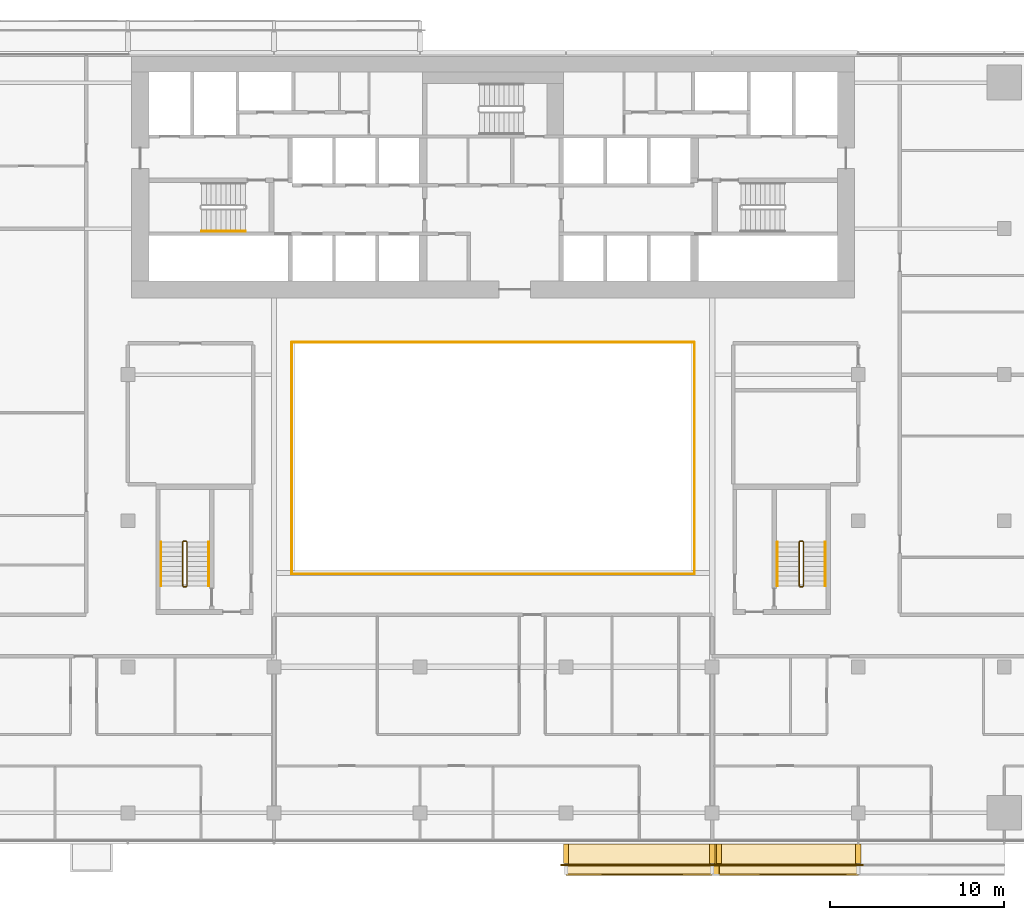
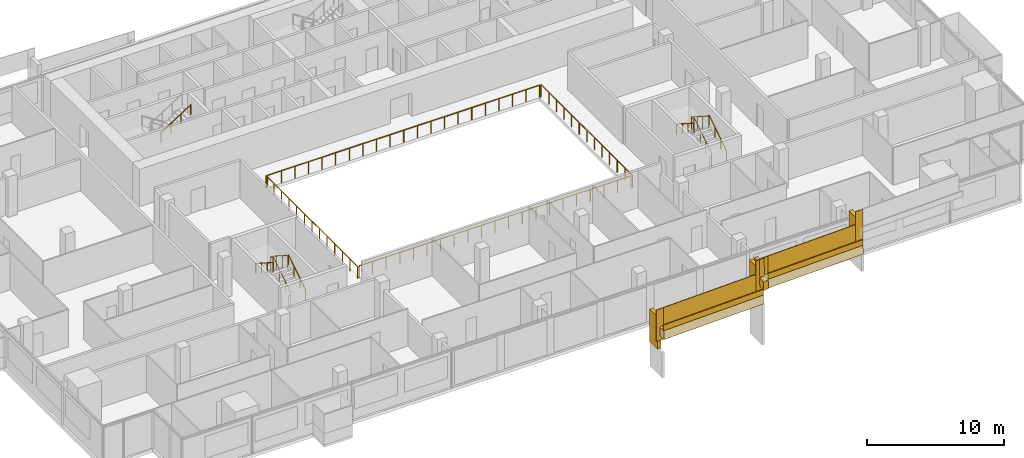
# One storey, part 25 of 27: 18 railings, 9 coverings.
"""IFC4 building model written with IfcOpenShell, lengths in metres."""

from ifc_helpers import new_model, si_unit, direction, frame, origin, origin_2d, place, context, subcontext, project, spatial, polyline, rectangle, circle, outline, extrude, material, layer, layer_set, type_object, element, save


model = new_model("IFC4")

# Units and contexts
model_context = context("Model", 3, precision=1e-05, world=origin(), true_north=direction((0.0, 1.0)))
body_context = subcontext(model_context, "Body", "Model", "MODEL_VIEW")
ifc_project = project(units=[si_unit("LENGTHUNIT", "METRE"), si_unit("AREAUNIT", "SQUARE_METRE"), si_unit("VOLUMEUNIT", "CUBIC_METRE"), si_unit("PLANEANGLEUNIT", "RADIAN"), si_unit("MASSUNIT", "GRAM", prefix="KILO")], contexts=[model_context])

# Site, building, storey
site_placement = place(None, origin())
site = spatial("IfcSite", under=ifc_project, at=site_placement, CompositionType="ELEMENT")
building_placement = place(site_placement, origin())
building = spatial("IfcBuilding", under=site, at=building_placement, Name="Saffron Gate Tower", CompositionType="ELEMENT")
storey_placement = place(building_placement, frame((0.0, 0.0, 124.050048828125)))
storey = spatial("IfcBuildingStorey", under=building, at=storey_placement, Name="L29", CompositionType="ELEMENT", Elevation=124.050048828125)

# Railings
ifc_material_1 = material(Name="Stainless steel and laminated glass", Category="steel")
railing_type_1 = type_object("IfcRailingType", Name="AG1 Atrium edge guard 1100", PredefinedType="GUARDRAIL", material=ifc_material_1)
railing_1_placement = place(storey_placement, frame((76.02001953125, 45.5400390625, 0.0)))
element("IfcRailing", 1, at=railing_1_placement, inside=storey, type_object=railing_type_1, Name="Guard B3-1", PredefinedType="GUARDRAIL", context=body_context, shape_type="SweptSolid", body=[
    extrude(circle(Radius=0.02392578125, at=origin_2d()), frame((0.0, 0.0, 1.076171875), z_axis=(0.0, 1.0, 0.0), x_axis=(-1.0, 0.0, 0.0)), (0.0, 0.0, 1.0), 13.320068359375),
    extrude(circle(Radius=0.02099609375, at=origin_2d()), origin(), (0.0, 0.0, 1.0), 1.052001953125),
    extrude(circle(Radius=0.02099609375, at=origin_2d()), frame((0.0, 1.110107421875, 0.0)), (0.0, 0.0, 1.0), 1.052001953125),
    extrude(circle(Radius=0.02099609375, at=origin_2d()), frame((0.0, 2.219970703125, 0.0)), (0.0, 0.0, 1.0), 1.052001953125),
    extrude(circle(Radius=0.02099609375, at=origin_2d()), frame((0.0, 3.330078125, 0.0)), (0.0, 0.0, 1.0), 1.052001953125),
    extrude(circle(Radius=0.02099609375, at=origin_2d()), frame((0.0, 4.43994140625, 0.0)), (0.0, 0.0, 1.0), 1.052001953125),
    extrude(circle(Radius=0.02099609375, at=origin_2d()), frame((0.0, 5.550048828125, 0.0)), (0.0, 0.0, 1.0), 1.052001953125),
    extrude(circle(Radius=0.02099609375, at=origin_2d()), frame((0.0, 6.66015625, 0.0)), (0.0, 0.0, 1.0), 1.052001953125),
    extrude(circle(Radius=0.02099609375, at=origin_2d()), frame((0.0, 7.77001953125, 0.0)), (0.0, 0.0, 1.0), 1.052001953125),
    extrude(circle(Radius=0.02099609375, at=origin_2d()), frame((0.0, 8.880126953125, 0.0)), (0.0, 0.0, 1.0), 1.052001953125),
    extrude(circle(Radius=0.02099609375, at=origin_2d()), frame((0.0, 9.989990234375, 0.0)), (0.0, 0.0, 1.0), 1.052001953125),
    extrude(circle(Radius=0.02099609375, at=origin_2d()), frame((0.0, 11.10009765625, 0.0)), (0.0, 0.0, 1.0), 1.052001953125),
    extrude(circle(Radius=0.02099609375, at=origin_2d()), frame((0.0, 12.2099609375, 0.0)), (0.0, 0.0, 1.0), 1.052001953125),
    extrude(circle(Radius=0.02099609375, at=origin_2d()), frame((0.0, 13.320068359375, 0.0)), (0.0, 0.0, 1.0), 1.052001953125),
])
railing_2_placement = place(storey_placement, frame((76.139892578125, 58.860107421875, 0.0)))
element("IfcRailing", 2, at=railing_2_placement, inside=storey, type_object=railing_type_1, Name="Guard B3-2", PredefinedType="GUARDRAIL", context=body_context, shape_type="SweptSolid", body=[
    extrude(circle(Radius=0.02392578125, at=origin_2d()), frame((0.0, 0.0, 1.076171875), z_axis=(1.0, 0.0, 0.0), x_axis=(0.0, 1.0, 0.0)), (0.0, 0.0, 1.0), 22.920166015625),
    extrude(circle(Radius=0.02099609375, at=origin_2d()), origin(), (0.0, 0.0, 1.0), 1.052001953125),
    extrude(circle(Radius=0.02099609375, at=origin_2d()), frame((1.14599609375, 0.0, 0.0)), (0.0, 0.0, 1.0), 1.052001953125),
    extrude(circle(Radius=0.02099609375, at=origin_2d()), frame((2.2919921875, 0.0, 0.0)), (0.0, 0.0, 1.0), 1.052001953125),
    extrude(circle(Radius=0.02099609375, at=origin_2d()), frame((3.43798828125, 0.0, 0.0)), (0.0, 0.0, 1.0), 1.052001953125),
    extrude(circle(Radius=0.02099609375, at=origin_2d()), frame((4.583984375, 0.0, 0.0)), (0.0, 0.0, 1.0), 1.052001953125),
    extrude(circle(Radius=0.02099609375, at=origin_2d()), frame((5.72998046875, 0.0, 0.0)), (0.0, 0.0, 1.0), 1.052001953125),
    extrude(circle(Radius=0.02099609375, at=origin_2d()), frame((6.8759765625, 0.0, 0.0)), (0.0, 0.0, 1.0), 1.052001953125),
    extrude(circle(Radius=0.02099609375, at=origin_2d()), frame((8.02197265625, 0.0, 0.0)), (0.0, 0.0, 1.0), 1.052001953125),
    extrude(circle(Radius=0.02099609375, at=origin_2d()), frame((9.16796875, 0.0, 0.0)), (0.0, 0.0, 1.0), 1.052001953125),
    extrude(circle(Radius=0.02099609375, at=origin_2d()), frame((10.31396484375, 0.0, 0.0)), (0.0, 0.0, 1.0), 1.052001953125),
    extrude(circle(Radius=0.02099609375, at=origin_2d()), frame((11.4599609375, 0.0, 0.0)), (0.0, 0.0, 1.0), 1.052001953125),
    extrude(circle(Radius=0.02099609375, at=origin_2d()), frame((12.606201171875, 0.0, 0.0)), (0.0, 0.0, 1.0), 1.052001953125),
    extrude(circle(Radius=0.02099609375, at=origin_2d()), frame((13.752197265625, 0.0, 0.0)), (0.0, 0.0, 1.0), 1.052001953125),
    extrude(circle(Radius=0.02099609375, at=origin_2d()), frame((14.898193359375, 0.0, 0.0)), (0.0, 0.0, 1.0), 1.052001953125),
    extrude(circle(Radius=0.02099609375, at=origin_2d()), frame((16.044189453125, 0.0, 0.0)), (0.0, 0.0, 1.0), 1.052001953125),
    extrude(circle(Radius=0.02099609375, at=origin_2d()), frame((17.190185546875, 0.0, 0.0)), (0.0, 0.0, 1.0), 1.052001953125),
    extrude(circle(Radius=0.02099609375, at=origin_2d()), frame((18.336181640625, 0.0, 0.0)), (0.0, 0.0, 1.0), 1.052001953125),
    extrude(circle(Radius=0.02099609375, at=origin_2d()), frame((19.482177734375, 0.0, 0.0)), (0.0, 0.0, 1.0), 1.052001953125),
    extrude(circle(Radius=0.02099609375, at=origin_2d()), frame((20.628173828125, 0.0, 0.0)), (0.0, 0.0, 1.0), 1.052001953125),
    extrude(circle(Radius=0.02099609375, at=origin_2d()), frame((21.774169921875, 0.0, 0.0)), (0.0, 0.0, 1.0), 1.052001953125),
    extrude(circle(Radius=0.02099609375, at=origin_2d()), frame((22.920166015625, 0.0, 0.0)), (0.0, 0.0, 1.0), 1.052001953125),
])
railing_3_placement = place(storey_placement, frame((99.179931640625, 58.860107421875, 0.0)))
element("IfcRailing", 3, at=railing_3_placement, inside=storey, type_object=railing_type_1, Name="Guard B3-3", PredefinedType="GUARDRAIL", context=body_context, shape_type="SweptSolid", body=[
    extrude(circle(Radius=0.02392578125, at=origin_2d()), frame((0.0, 0.0, 1.076171875), z_axis=(0.0, -1.0, 0.0), x_axis=(1.0, 0.0, 0.0)), (0.0, 0.0, 1.0), 13.320068359375),
    extrude(circle(Radius=0.02099609375, at=origin_2d()), origin(), (0.0, 0.0, 1.0), 1.052001953125),
    extrude(circle(Radius=0.02099609375, at=origin_2d()), frame((0.0, -1.110107421875, 0.0)), (0.0, 0.0, 1.0), 1.052001953125),
    extrude(circle(Radius=0.02099609375, at=origin_2d()), frame((0.0, -2.219970703125, 0.0)), (0.0, 0.0, 1.0), 1.052001953125),
    extrude(circle(Radius=0.02099609375, at=origin_2d()), frame((0.0, -3.330078125, 0.0)), (0.0, 0.0, 1.0), 1.052001953125),
    extrude(circle(Radius=0.02099609375, at=origin_2d()), frame((0.0, -4.43994140625, 0.0)), (0.0, 0.0, 1.0), 1.052001953125),
    extrude(circle(Radius=0.02099609375, at=origin_2d()), frame((0.0, -5.550048828125, 0.0)), (0.0, 0.0, 1.0), 1.052001953125),
    extrude(circle(Radius=0.02099609375, at=origin_2d()), frame((0.0, -6.66015625, 0.0)), (0.0, 0.0, 1.0), 1.052001953125),
    extrude(circle(Radius=0.02099609375, at=origin_2d()), frame((0.0, -7.77001953125, 0.0)), (0.0, 0.0, 1.0), 1.052001953125),
    extrude(circle(Radius=0.02099609375, at=origin_2d()), frame((0.0, -8.880126953125, 0.0)), (0.0, 0.0, 1.0), 1.052001953125),
    extrude(circle(Radius=0.02099609375, at=origin_2d()), frame((0.0, -9.989990234375, 0.0)), (0.0, 0.0, 1.0), 1.052001953125),
    extrude(circle(Radius=0.02099609375, at=origin_2d()), frame((0.0, -11.10009765625, 0.0)), (0.0, 0.0, 1.0), 1.052001953125),
    extrude(circle(Radius=0.02099609375, at=origin_2d()), frame((0.0, -12.2099609375, 0.0)), (0.0, 0.0, 1.0), 1.052001953125),
    extrude(circle(Radius=0.02099609375, at=origin_2d()), frame((0.0, -13.320068359375, 0.0)), (0.0, 0.0, 1.0), 1.052001953125),
])
railing_4_placement = place(storey_placement, frame((99.06005859375, 45.5400390625, 0.0)))
element("IfcRailing", 4, at=railing_4_placement, inside=storey, type_object=railing_type_1, Name="Guard B3-4", PredefinedType="GUARDRAIL", context=body_context, shape_type="SweptSolid", body=[
    extrude(circle(Radius=0.02392578125, at=origin_2d()), frame((0.0, 0.0, 1.076171875), z_axis=(-1.0, 0.0, 0.0), x_axis=(0.0, -1.0, 0.0)), (0.0, 0.0, 1.0), 22.920166015625),
    extrude(circle(Radius=0.02099609375, at=origin_2d()), origin(), (0.0, 0.0, 1.0), 1.052001953125),
    extrude(circle(Radius=0.02099609375, at=origin_2d()), frame((-1.14599609375, 0.0, 0.0)), (0.0, 0.0, 1.0), 1.052001953125),
    extrude(circle(Radius=0.02099609375, at=origin_2d()), frame((-2.2919921875, 0.0, 0.0)), (0.0, 0.0, 1.0), 1.052001953125),
    extrude(circle(Radius=0.02099609375, at=origin_2d()), frame((-3.43798828125, 0.0, 0.0)), (0.0, 0.0, 1.0), 1.052001953125),
    extrude(circle(Radius=0.02099609375, at=origin_2d()), frame((-4.583984375, 0.0, 0.0)), (0.0, 0.0, 1.0), 1.052001953125),
    extrude(circle(Radius=0.02099609375, at=origin_2d()), frame((-5.72998046875, 0.0, 0.0)), (0.0, 0.0, 1.0), 1.052001953125),
    extrude(circle(Radius=0.02099609375, at=origin_2d()), frame((-6.8759765625, 0.0, 0.0)), (0.0, 0.0, 1.0), 1.052001953125),
    extrude(circle(Radius=0.02099609375, at=origin_2d()), frame((-8.02197265625, 0.0, 0.0)), (0.0, 0.0, 1.0), 1.052001953125),
    extrude(circle(Radius=0.02099609375, at=origin_2d()), frame((-9.16796875, 0.0, 0.0)), (0.0, 0.0, 1.0), 1.052001953125),
    extrude(circle(Radius=0.02099609375, at=origin_2d()), frame((-10.31396484375, 0.0, 0.0)), (0.0, 0.0, 1.0), 1.052001953125),
    extrude(circle(Radius=0.02099609375, at=origin_2d()), frame((-11.4599609375, 0.0, 0.0)), (0.0, 0.0, 1.0), 1.052001953125),
    extrude(circle(Radius=0.02099609375, at=origin_2d()), frame((-12.606201171875, 0.0, 0.0)), (0.0, 0.0, 1.0), 1.052001953125),
    extrude(circle(Radius=0.02099609375, at=origin_2d()), frame((-13.752197265625, 0.0, 0.0)), (0.0, 0.0, 1.0), 1.052001953125),
    extrude(circle(Radius=0.02099609375, at=origin_2d()), frame((-14.898193359375, 0.0, 0.0)), (0.0, 0.0, 1.0), 1.052001953125),
    extrude(circle(Radius=0.02099609375, at=origin_2d()), frame((-16.044189453125, 0.0, 0.0)), (0.0, 0.0, 1.0), 1.052001953125),
    extrude(circle(Radius=0.02099609375, at=origin_2d()), frame((-17.190185546875, 0.0, 0.0)), (0.0, 0.0, 1.0), 1.052001953125),
    extrude(circle(Radius=0.02099609375, at=origin_2d()), frame((-18.336181640625, 0.0, 0.0)), (0.0, 0.0, 1.0), 1.052001953125),
    extrude(circle(Radius=0.02099609375, at=origin_2d()), frame((-19.482177734375, 0.0, 0.0)), (0.0, 0.0, 1.0), 1.052001953125),
    extrude(circle(Radius=0.02099609375, at=origin_2d()), frame((-20.628173828125, 0.0, 0.0)), (0.0, 0.0, 1.0), 1.052001953125),
    extrude(circle(Radius=0.02099609375, at=origin_2d()), frame((-21.774169921875, 0.0, 0.0)), (0.0, 0.0, 1.0), 1.052001953125),
    extrude(circle(Radius=0.02099609375, at=origin_2d()), frame((-22.920166015625, 0.0, 0.0)), (0.0, 0.0, 1.0), 1.052001953125),
])
railing_type_2 = type_object("IfcRailingType", Name="CR1 Stair guard 1100", PredefinedType="GUARDRAIL", material=ifc_material_1)
railing_5_placement = place(storey_placement, frame((69.800048828125, 44.800048828125, 0.0)))
element("IfcRailing", 5, at=railing_5_placement, inside=storey, type_object=railing_type_2, Name="L29 ST-D stair guard 1", PredefinedType="GUARDRAIL", context=body_context, shape_type="SweptSolid", body=[
    extrude(circle(Radius=0.02392578125, at=origin_2d()), frame((0.0, 0.0, 1.076171875), z_axis=(1.0, 0.0, 0.0), x_axis=(0.0, 1.0, 0.0)), (0.0, 0.0, 1.0), 0.14990234375),
    extrude(circle(Radius=0.02392578125, at=origin_2d()), frame((0.14990234375, 0.0, 1.076171875), z_axis=(0.258847668887, 0.258847668887, 0.930588936439), x_axis=(-0.707106781187, 0.707106781187, 0.0)), (0.0, 0.0, 1.0), 0.193359375),
    extrude(circle(Radius=0.02392578125, at=origin_2d()), frame((0.199951171875, 0.050048828125, 1.255859375), z_axis=(0.0, 0.841162588446, 0.540782303519), x_axis=(-1.0, 0.0, 0.0)), (0.0, 0.0, 1.0), 2.995849609375),
    extrude(circle(Radius=0.02392578125, at=origin_2d()), frame((0.199951171875, 2.570068359375, 2.8759765625), z_axis=(-0.708833529934, 0.705375805398, 0.0), x_axis=(-0.705375805398, -0.708833529934, 0.0)), (0.0, 0.0, 1.0), 0.070556640625),
    extrude(circle(Radius=0.02392578125, at=origin_2d()), frame((0.14990234375, 2.619873046875, 2.8759765625), z_axis=(-1.0, 0.0, 0.0), x_axis=(0.0, -1.0, 0.0)), (0.0, 0.0, 1.0), 0.14990234375),
    extrude(circle(Radius=0.02392578125, at=origin_2d()), frame((0.0, 2.619873046875, 2.8759765625), z_axis=(-0.258932105505, -0.257669022063, 0.930892496375), x_axis=(0.705375805398, -0.708833529934, 0.0)), (0.0, 0.0, 1.0), 0.193359375),
    extrude(circle(Radius=0.02392578125, at=origin_2d()), frame((-0.050048828125, 2.570068359375, 3.05615234375), z_axis=(0.0, -0.841199657755, 0.540724639528), x_axis=(1.0, 0.0, 0.0)), (0.0, 0.0, 1.0), 2.995849609375),
    extrude(circle(Radius=0.02099609375, at=origin_2d()), origin(), (0.0, 0.0, 1.0), 1.052001953125),
    extrude(circle(Radius=0.02099609375, at=origin_2d()), frame((0.14990234375, 0.0, 0.0)), (0.0, 0.0, 1.0), 1.052001953125),
    extrude(circle(Radius=0.02099609375, at=origin_2d()), frame((0.199951171875, 0.050048828125, 0.179931640625)), (0.0, 0.0, 1.0), 1.052001953125),
    extrude(circle(Radius=0.02099609375, at=origin_2d()), frame((0.199951171875, 0.89013671875, 0.719970703125)), (0.0, 0.0, 1.0), 1.052001953125),
    extrude(circle(Radius=0.02099609375, at=origin_2d()), frame((0.199951171875, 1.72998046875, 1.260009765625)), (0.0, 0.0, 1.0), 1.052001953125),
    extrude(circle(Radius=0.02099609375, at=origin_2d()), frame((0.199951171875, 2.570068359375, 1.800048828125)), (0.0, 0.0, 1.0), 1.052001953125),
    extrude(circle(Radius=0.02099609375, at=origin_2d()), frame((0.14990234375, 2.619873046875, 1.800048828125)), (0.0, 0.0, 1.0), 1.052001953125),
    extrude(circle(Radius=0.02099609375, at=origin_2d()), frame((0.0, 2.619873046875, 1.800048828125)), (0.0, 0.0, 1.0), 1.052001953125),
    extrude(circle(Radius=0.02099609375, at=origin_2d()), frame((-0.050048828125, 2.570068359375, 1.97998046875)), (0.0, 0.0, 1.0), 1.052001953125),
    extrude(circle(Radius=0.02099609375, at=origin_2d()), frame((-0.050048828125, 1.72998046875, 2.52001953125)), (0.0, 0.0, 1.0), 1.052001953125),
    extrude(circle(Radius=0.02099609375, at=origin_2d()), frame((-0.050048828125, 0.89013671875, 3.059814453125)), (0.0, 0.0, 1.0), 1.052001953125),
    extrude(circle(Radius=0.02099609375, at=origin_2d()), frame((-0.050048828125, 0.050048828125, 3.599853515625)), (0.0, 0.0, 1.0), 1.052001953125),
])
railing_6_placement = place(storey_placement, frame((105.25, 44.800048828125, 0.0)))
element("IfcRailing", 6, at=railing_6_placement, inside=storey, type_object=railing_type_2, Name="L29 ST-E stair guard 1", PredefinedType="GUARDRAIL", context=body_context, shape_type="SweptSolid", body=[
    extrude(circle(Radius=0.02392578125, at=origin_2d()), frame((0.0, 0.0, 1.076171875), z_axis=(1.0, 0.0, 0.0), x_axis=(0.0, 1.0, 0.0)), (0.0, 0.0, 1.0), 0.14990234375),
    extrude(circle(Radius=0.02392578125, at=origin_2d()), frame((0.14990234375, 0.0, 1.076171875), z_axis=(0.258847668887, 0.258847668887, 0.930588936439), x_axis=(-0.707106781187, 0.707106781187, 0.0)), (0.0, 0.0, 1.0), 0.193359375),
    extrude(circle(Radius=0.02392578125, at=origin_2d()), frame((0.199951171875, 0.050048828125, 1.255859375), z_axis=(0.0, 0.841162588446, 0.540782303519), x_axis=(-1.0, 0.0, 0.0)), (0.0, 0.0, 1.0), 2.995849609375),
    extrude(circle(Radius=0.02392578125, at=origin_2d()), frame((0.199951171875, 2.570068359375, 2.8759765625), z_axis=(-0.708833529934, 0.705375805398, 0.0), x_axis=(-0.705375805398, -0.708833529934, 0.0)), (0.0, 0.0, 1.0), 0.070556640625),
    extrude(circle(Radius=0.02392578125, at=origin_2d()), frame((0.14990234375, 2.619873046875, 2.8759765625), z_axis=(-1.0, 0.0, 0.0), x_axis=(0.0, -1.0, 0.0)), (0.0, 0.0, 1.0), 0.14990234375),
    extrude(circle(Radius=0.02392578125, at=origin_2d()), frame((0.0, 2.619873046875, 2.8759765625), z_axis=(-0.258932105505, -0.257669022063, 0.930892496375), x_axis=(0.705375805398, -0.708833529934, 0.0)), (0.0, 0.0, 1.0), 0.193359375),
    extrude(circle(Radius=0.02392578125, at=origin_2d()), frame((-0.050048828125, 2.570068359375, 3.05615234375), z_axis=(0.0, -0.841199657755, 0.540724639528), x_axis=(1.0, 0.0, 0.0)), (0.0, 0.0, 1.0), 2.995849609375),
    extrude(circle(Radius=0.02099609375, at=origin_2d()), origin(), (0.0, 0.0, 1.0), 1.052001953125),
    extrude(circle(Radius=0.02099609375, at=origin_2d()), frame((0.14990234375, 0.0, 0.0)), (0.0, 0.0, 1.0), 1.052001953125),
    extrude(circle(Radius=0.02099609375, at=origin_2d()), frame((0.199951171875, 0.050048828125, 0.179931640625)), (0.0, 0.0, 1.0), 1.052001953125),
    extrude(circle(Radius=0.02099609375, at=origin_2d()), frame((0.199951171875, 0.89013671875, 0.719970703125)), (0.0, 0.0, 1.0), 1.052001953125),
    extrude(circle(Radius=0.02099609375, at=origin_2d()), frame((0.199951171875, 1.72998046875, 1.260009765625)), (0.0, 0.0, 1.0), 1.052001953125),
    extrude(circle(Radius=0.02099609375, at=origin_2d()), frame((0.199951171875, 2.570068359375, 1.800048828125)), (0.0, 0.0, 1.0), 1.052001953125),
    extrude(circle(Radius=0.02099609375, at=origin_2d()), frame((0.14990234375, 2.619873046875, 1.800048828125)), (0.0, 0.0, 1.0), 1.052001953125),
    extrude(circle(Radius=0.02099609375, at=origin_2d()), frame((0.0, 2.619873046875, 1.800048828125)), (0.0, 0.0, 1.0), 1.052001953125),
    extrude(circle(Radius=0.02099609375, at=origin_2d()), frame((-0.050048828125, 2.570068359375, 1.97998046875)), (0.0, 0.0, 1.0), 1.052001953125),
    extrude(circle(Radius=0.02099609375, at=origin_2d()), frame((-0.050048828125, 1.72998046875, 2.52001953125)), (0.0, 0.0, 1.0), 1.052001953125),
    extrude(circle(Radius=0.02099609375, at=origin_2d()), frame((-0.050048828125, 0.89013671875, 3.059814453125)), (0.0, 0.0, 1.0), 1.052001953125),
    extrude(circle(Radius=0.02099609375, at=origin_2d()), frame((-0.050048828125, 0.050048828125, 3.599853515625)), (0.0, 0.0, 1.0), 1.052001953125),
])
ifc_material_2 = material(Name="Stainless steel", Category="steel")
railing_type_3 = type_object("IfcRailingType", Name="CR2 Stair handrail 900", PredefinedType="HANDRAIL", material=ifc_material_2)
railing_7_placement = place(storey_placement, frame((70.830078125, 65.25, 1.97998046875)))
element("IfcRailing", 7, at=railing_7_placement, inside=storey, type_object=railing_type_3, Name="L29 ST-A stair handrail 2", PredefinedType="HANDRAIL", context=body_context, shape_type="SweptSolid", body=[
    extrude(circle(Radius=0.02392578125, at=origin_2d()), frame((0.0, 0.0, 0.8759765625), z_axis=(0.841199657755, 0.0, 0.540724639528), x_axis=(0.0, 1.0, 0.0)), (0.0, 0.0, 1.0), 2.995849609375),
    extrude(circle(Radius=0.02099609375, at=origin_2d()), origin(), (0.0, 0.0, 1.0), 0.851806640625),
    extrude(circle(Radius=0.02099609375, at=origin_2d()), frame((0.840087890625, 0.0, 0.5400390625)), (0.0, 0.0, 1.0), 0.851806640625),
    extrude(circle(Radius=0.02099609375, at=origin_2d()), frame((1.679931640625, 0.0, 1.079833984375)), (0.0, 0.0, 1.0), 0.851806640625),
    extrude(circle(Radius=0.02099609375, at=origin_2d()), frame((2.52001953125, 0.0, 1.619873046875)), (0.0, 0.0, 1.0), 0.851806640625),
])
railing_8_placement = place(storey_placement, frame((71.25, 44.85009765625, 0.179931640625)))
element("IfcRailing", 8, at=railing_8_placement, inside=storey, type_object=railing_type_3, Name="L29 ST-D stair handrail 1", PredefinedType="HANDRAIL", context=body_context, shape_type="SweptSolid", body=[
    extrude(circle(Radius=0.02392578125, at=origin_2d()), frame((0.0, 0.0, 0.8759765625), z_axis=(0.0, 0.841162588446, 0.540782303519), x_axis=(-1.0, 0.0, 0.0)), (0.0, 0.0, 1.0), 2.995849609375),
    extrude(circle(Radius=0.02099609375, at=origin_2d()), origin(), (0.0, 0.0, 1.0), 0.851806640625),
    extrude(circle(Radius=0.02099609375, at=origin_2d()), frame((0.0, 0.840087890625, 0.5400390625)), (0.0, 0.0, 1.0), 0.851806640625),
    extrude(circle(Radius=0.02099609375, at=origin_2d()), frame((0.0, 1.679931640625, 1.080078125)), (0.0, 0.0, 1.0), 0.851806640625),
    extrude(circle(Radius=0.02099609375, at=origin_2d()), frame((0.0, 2.52001953125, 1.6201171875)), (0.0, 0.0, 1.0), 0.851806640625),
])
railing_9_placement = place(storey_placement, frame((68.5, 47.3701171875, 1.97998046875)))
element("IfcRailing", 9, at=railing_9_placement, inside=storey, type_object=railing_type_3, Name="L29 ST-D stair handrail 2", PredefinedType="HANDRAIL", context=body_context, shape_type="SweptSolid", body=[
    extrude(circle(Radius=0.02392578125, at=origin_2d()), frame((0.0, 0.0, 0.8759765625), z_axis=(0.0, -0.841199657755, 0.540724639528), x_axis=(1.0, 0.0, 0.0)), (0.0, 0.0, 1.0), 2.995849609375),
    extrude(circle(Radius=0.02099609375, at=origin_2d()), origin(), (0.0, 0.0, 1.0), 0.851806640625),
    extrude(circle(Radius=0.02099609375, at=origin_2d()), frame((0.0, -0.840087890625, 0.5400390625)), (0.0, 0.0, 1.0), 0.851806640625),
    extrude(circle(Radius=0.02099609375, at=origin_2d()), frame((0.0, -1.679931640625, 1.079833984375)), (0.0, 0.0, 1.0), 0.851806640625),
    extrude(circle(Radius=0.02099609375, at=origin_2d()), frame((0.0, -2.52001953125, 1.619873046875)), (0.0, 0.0, 1.0), 0.851806640625),
])
railing_10_placement = place(storey_placement, frame((106.699951171875, 44.85009765625, 0.179931640625)))
element("IfcRailing", 10, at=railing_10_placement, inside=storey, type_object=railing_type_3, Name="L29 ST-E stair handrail 1", PredefinedType="HANDRAIL", context=body_context, shape_type="SweptSolid", body=[
    extrude(circle(Radius=0.02392578125, at=origin_2d()), frame((0.0, 0.0, 0.8759765625), z_axis=(0.0, 0.841162588446, 0.540782303519), x_axis=(-1.0, 0.0, 0.0)), (0.0, 0.0, 1.0), 2.995849609375),
    extrude(circle(Radius=0.02099609375, at=origin_2d()), origin(), (0.0, 0.0, 1.0), 0.851806640625),
    extrude(circle(Radius=0.02099609375, at=origin_2d()), frame((0.0, 0.840087890625, 0.5400390625)), (0.0, 0.0, 1.0), 0.851806640625),
    extrude(circle(Radius=0.02099609375, at=origin_2d()), frame((0.0, 1.679931640625, 1.080078125)), (0.0, 0.0, 1.0), 0.851806640625),
    extrude(circle(Radius=0.02099609375, at=origin_2d()), frame((0.0, 2.52001953125, 1.6201171875)), (0.0, 0.0, 1.0), 0.851806640625),
])
railing_11_placement = place(storey_placement, frame((103.949951171875, 47.3701171875, 1.97998046875)))
element("IfcRailing", 11, at=railing_11_placement, inside=storey, type_object=railing_type_3, Name="L29 ST-E stair handrail 2", PredefinedType="HANDRAIL", context=body_context, shape_type="SweptSolid", body=[
    extrude(circle(Radius=0.02392578125, at=origin_2d()), frame((0.0, 0.0, 0.8759765625), z_axis=(0.0, -0.841199657755, 0.540724639528), x_axis=(1.0, 0.0, 0.0)), (0.0, 0.0, 1.0), 2.995849609375),
    extrude(circle(Radius=0.02099609375, at=origin_2d()), origin(), (0.0, 0.0, 1.0), 0.851806640625),
    extrude(circle(Radius=0.02099609375, at=origin_2d()), frame((0.0, -0.840087890625, 0.5400390625)), (0.0, 0.0, 1.0), 0.851806640625),
    extrude(circle(Radius=0.02099609375, at=origin_2d()), frame((0.0, -1.679931640625, 1.079833984375)), (0.0, 0.0, 1.0), 0.851806640625),
    extrude(circle(Radius=0.02099609375, at=origin_2d()), frame((0.0, -2.52001953125, 1.619873046875)), (0.0, 0.0, 1.0), 0.851806640625),
])

# Coverings
ifc_material_3 = material(Name="Timber, thermally modified ash", Category="wood")
ifc_layer_1 = layer(ifc_material_3, 0.800048828125)
ifc_layer_set_1 = layer_set([ifc_layer_1], Name="LD1 ledge timber")
covering_type_1 = type_object("IfcCoveringType", Name="LD1 ledge timber", PredefinedType="CLADDING", material=ifc_layer_set_1)
covering_1_placement = place(storey_placement, frame((91.800048828125, 30.0, 0.32861328125), z_axis=(-0.028791175352, 0.0, 0.999585448184), x_axis=(0.999585448184, 0.0, 0.028791175352)))
element("IfcCovering", 12, at=covering_1_placement, inside=storey, type_object=covering_type_1, Name="LEDGE", PredefinedType="CLADDING", context=body_context, shape_type="SweptSolid", body=[
    extrude(outline(polyline([(0.0, 0.0), (8.403385982666892, 0.0), (8.403385982666892, -1.800048828125), (0.0, -1.800048828125), (0.0, 0.0)])), origin(), (0.0, 0.0, -1.0), 0.800048828125),
])
covering_2_placement = place(storey_placement, frame((100.199951171875, 30.0, 1.77099609375), z_axis=(-0.028664238881, 0.0, 0.999589096284), x_axis=(0.999589096284, 0.0, 0.028664238881)))
element("IfcCovering", 13, at=covering_2_placement, inside=storey, type_object=covering_type_1, Name="LEDGE", PredefinedType="CLADDING", context=body_context, shape_type="SweptSolid", body=[
    extrude(outline(polyline([(0.0, 0.0), (0.40031097364171886, 0.0), (0.40031097364171886, -1.8000488281250004), (0.0, -1.8000488281250004), (0.0, 0.0)])), origin(), (0.0, 0.0, -1.0), 0.800048828125),
])
covering_3_placement = place(storey_placement, frame((100.60009765625, 30.0, 1.839599609375), z_axis=(-0.028796646555, 0.0, 0.999585290582), x_axis=(0.999585290582, 0.0, 0.028796646555)))
element("IfcCovering", 14, at=covering_3_placement, inside=storey, type_object=covering_type_1, Name="LEDGE", PredefinedType="CLADDING", context=body_context, shape_type="SweptSolid", body=[
    extrude(outline(polyline([(0.0, 0.0), (8.003319051788862, 0.0), (8.003319051788862, -1.800048828125), (0.0, -1.800048828125), (0.0, 0.0)])), origin(), (0.0, 0.0, -1.0), 0.800048828125),
])
ifc_layer_2 = layer(ifc_material_3, 0.080078125)
ifc_layer_set_2 = layer_set([ifc_layer_2], Name="LD2 ledge planter trough")
covering_type_2 = type_object("IfcCoveringType", Name="LD2 ledge planter trough", PredefinedType="CLADDING", material=ifc_layer_set_2)
covering_4_placement = place(storey_placement, frame((91.800048828125, 28.199951171875, 0.32861328125), z_axis=(0.0, -1.0, 0.0), x_axis=(0.999585448184, 0.0, 0.028791175352)))
element("IfcCovering", 15, at=covering_4_placement, inside=storey, type_object=covering_type_2, Name="LEDGE planter trough", PredefinedType="CLADDING", context=body_context, shape_type="SweptSolid", body=[
    extrude(outline(polyline([(0.0, 0.0), (8.403385982666892, 0.0), (8.417781570342743, 0.49979272409216496), (0.014395587675851172, 0.4997927240921649), (0.0, 0.0)])), origin(), (0.0, 0.0, -1.0), 0.080078125),
])
covering_5_placement = place(storey_placement, frame((100.60009765625, 28.199951171875, 1.839599609375), z_axis=(0.0, -1.0, 0.0), x_axis=(0.999585290582, 0.0, 0.028796646555)))
element("IfcCovering", 16, at=covering_5_placement, inside=storey, type_object=covering_type_2, Name="LEDGE planter trough", PredefinedType="CLADDING", context=body_context, shape_type="SweptSolid", body=[
    extrude(outline(polyline([(0.0, 0.0), (8.003319051788862, 0.0), (8.017717375066283, 0.4997926452908234), (0.014398323277421184, 0.49979264529082346), (0.0, 0.0)])), origin(), (0.0, 0.0, -1.0), 0.080078125),
])
ifc_layer_3 = layer(ifc_material_3, 0.300048828125)
ifc_layer_set_3 = layer_set([ifc_layer_3], Name="LD3 ledge riser fin")
covering_type_3 = type_object("IfcCoveringType", Name="LD3 ledge riser fin", PredefinedType="CLADDING", material=ifc_layer_set_3)
for number, where, z_axis, x_axis, name in (
    (17, (91.800048828125, 29.43994140625, -1.671875), (0.0, 0.0, 1.0), (1.0, 0.0, 0.0), "LEDGE riser fin"),
    (18, (100.199951171875, 29.43994140625, -0.2294921875), (0.0, 0.0, 1.0), (1.0, 0.0, 0.0), "LEDGE riser fin"),
):
    element("IfcCovering", number, at=place(storey_placement, frame(where, z_axis=z_axis, x_axis=x_axis)), inside=storey, type_object=covering_type_3, Name=name, PredefinedType="CLADDING", context=body_context, shape_type="SweptSolid", body=[
        extrude(rectangle(XDim=0.300048828125, YDim=1.1201171875, at=origin_2d()), origin(), (0.0, 0.0, 1.0), 2.900390625),
    ])
covering_6_placement = place(storey_placement, frame((100.60009765625, 29.43994140625, 0.982421875), z_axis=(0.0, 0.0, 1.0), x_axis=(1.0, 0.0, 0.0)))
element("IfcCovering", 19, at=covering_6_placement, inside=storey, type_object=covering_type_3, Name="LEDGE riser fin", PredefinedType="CLADDING", context=body_context, shape_type="SweptSolid", body=[
    extrude(rectangle(XDim=0.300048828125, YDim=1.1201171875, at=origin_2d()), origin(), (0.0, 0.0, 1.0), 1.757080078125),
])
covering_7_placement = place(storey_placement, frame((108.60009765625, 29.43994140625, 1.27001953125), z_axis=(0.0, 0.0, 1.0), x_axis=(1.0, 0.0, 0.0)))
element("IfcCovering", 20, at=covering_7_placement, inside=storey, type_object=covering_type_3, Name="LEDGE riser fin", PredefinedType="CLADDING", context=body_context, shape_type="SweptSolid", body=[
    extrude(rectangle(XDim=0.300048828125, YDim=1.1201171875, at=origin_2d()), origin(), (0.0, 0.0, 1.0), 2.84326171875),
])

# Railings
railing_type_4 = type_object("IfcRailingType", Name="LG1 ledge balustrade", PredefinedType="BALUSTRADE", material=ifc_material_3)
railing_12_placement = place(storey_placement, frame((91.800048828125, 28.800048828125, 0.32861328125)))
element("IfcRailing", 21, at=railing_12_placement, inside=storey, type_object=railing_type_4, Name="LEDGE BALUSTRADE", PredefinedType="BALUSTRADE", context=body_context, shape_type="SweptSolid", body=[
    extrude(rectangle(XDim=0.06005859375, YDim=1.60009765625, at=origin_2d()), frame((0.0, 0.0, 0.800048828125), z_axis=(0.999585448184, 0.0, 0.028791175352), x_axis=(0.0, 1.0, 0.0)), (0.0, 0.0, 1.0), 8.4033203125),
])
railing_13_placement = place(storey_placement, frame((91.5, 28.800048828125, -0.871826171875)))
element("IfcRailing", 22, at=railing_13_placement, inside=storey, type_object=railing_type_4, Name="LEDGE BALUSTRADE", PredefinedType="BALUSTRADE", context=body_context, shape_type="SweptSolid", body=[
    extrude(rectangle(XDim=0.06005859375, YDim=2.80029296875, at=origin_2d()), frame((0.0, 0.0, 1.400146484375), z_axis=(1.0, 0.0, 0.0), x_axis=(0.0, 1.0, 0.0)), (0.0, 0.0, 1.0), 0.60009765625),
])
railing_14_placement = place(storey_placement, frame((100.199951171875, 28.800048828125, 1.77099609375)))
element("IfcRailing", 23, at=railing_14_placement, inside=storey, type_object=railing_type_4, Name="LEDGE BALUSTRADE", PredefinedType="BALUSTRADE", context=body_context, shape_type="SweptSolid", body=[
    extrude(rectangle(XDim=0.06005859375, YDim=1.60009765625, at=origin_2d()), frame((0.0, 0.0, 0.800048828125), z_axis=(0.999589096284, 0.0, 0.028664238881), x_axis=(0.0, 1.0, 0.0)), (0.0, 0.0, 1.0), 0.400390625),
])
railing_15_placement = place(storey_placement, frame((99.89990234375, 28.800048828125, 0.570556640625)))
element("IfcRailing", 24, at=railing_15_placement, inside=storey, type_object=railing_type_4, Name="LEDGE BALUSTRADE", PredefinedType="BALUSTRADE", context=body_context, shape_type="SweptSolid", body=[
    extrude(rectangle(XDim=0.06005859375, YDim=2.80029296875, at=origin_2d()), frame((0.0, 0.0, 1.400146484375), z_axis=(1.0, 0.0, 0.0), x_axis=(0.0, 1.0, 0.0)), (0.0, 0.0, 1.0), 0.60009765625),
])
railing_16_placement = place(storey_placement, frame((100.60009765625, 28.800048828125, 1.839599609375)))
element("IfcRailing", 25, at=railing_16_placement, inside=storey, type_object=railing_type_4, Name="LEDGE BALUSTRADE", PredefinedType="BALUSTRADE", context=body_context, shape_type="SweptSolid", body=[
    extrude(rectangle(XDim=0.06005859375, YDim=1.60009765625, at=origin_2d()), frame((0.0, 0.0, 0.800048828125), z_axis=(0.999585290582, 0.0, 0.028796646555), x_axis=(0.0, 1.0, 0.0)), (0.0, 0.0, 1.0), 8.00341796875),
])
railing_17_placement = place(storey_placement, frame((100.300048828125, 28.800048828125, 1.782470703125)))
element("IfcRailing", 26, at=railing_17_placement, inside=storey, type_object=railing_type_4, Name="LEDGE BALUSTRADE", PredefinedType="BALUSTRADE", context=body_context, shape_type="SweptSolid", body=[
    extrude(rectangle(XDim=0.06005859375, YDim=1.6572265625, at=origin_2d()), frame((0.0, 0.0, 0.82861328125), z_axis=(1.0, 0.0, 0.0), x_axis=(0.0, 1.0, 0.0)), (0.0, 0.0, 1.0), 0.599853515625),
])
railing_18_placement = place(storey_placement, frame((108.300048828125, 28.800048828125, 2.070068359375)))
element("IfcRailing", 27, at=railing_18_placement, inside=storey, type_object=railing_type_4, Name="LEDGE BALUSTRADE", PredefinedType="BALUSTRADE", context=body_context, shape_type="SweptSolid", body=[
    extrude(rectangle(XDim=0.06005859375, YDim=2.7431640625, at=origin_2d()), frame((0.0, 0.0, 1.37158203125), z_axis=(1.0, 0.0, 0.0), x_axis=(0.0, 1.0, 0.0)), (0.0, 0.0, 1.0), 0.599853515625),
])

save(model, "model.ifc")
